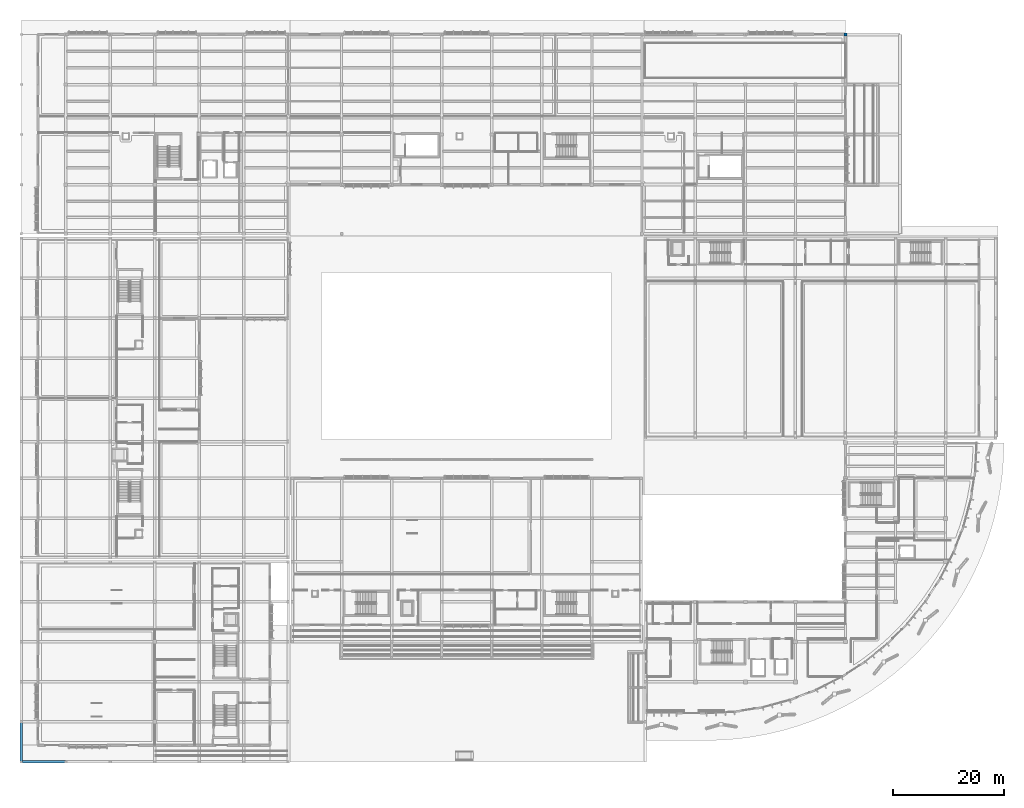
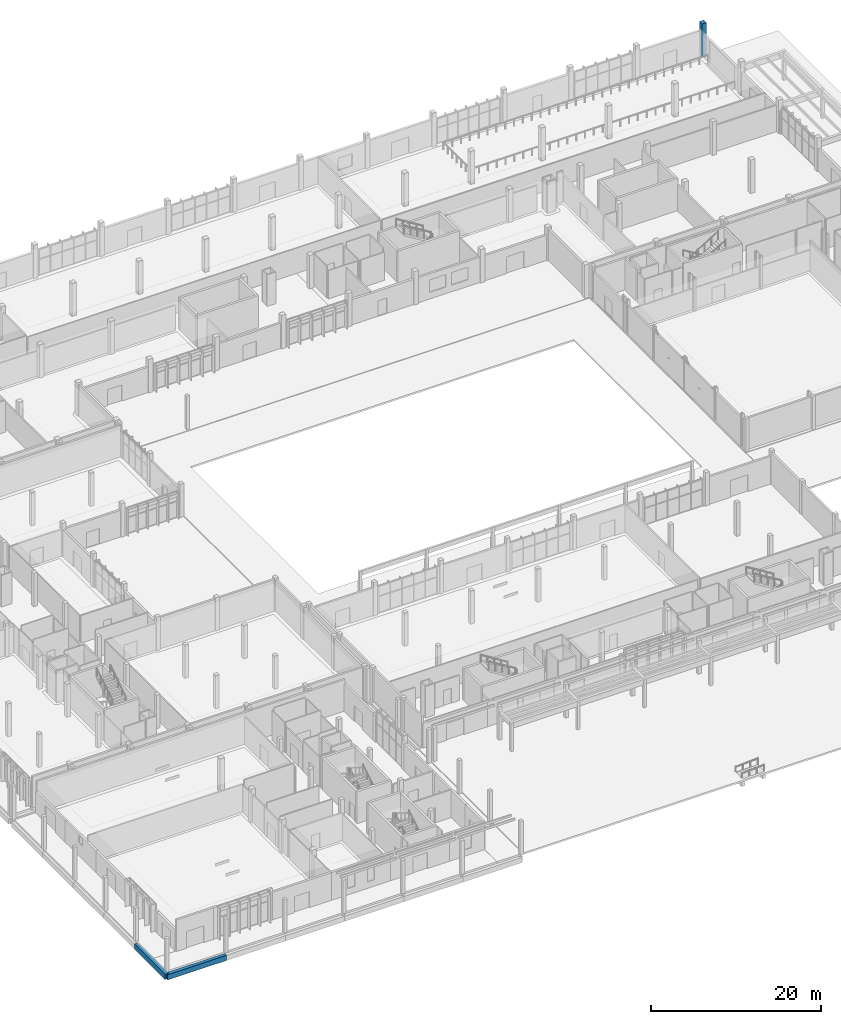
# One storey, part 13 of 151: 2 beams, 1 column.
"""IFC4 building model written with IfcOpenShell, lengths in metres."""

from ifc_helpers import new_model, si_unit, direction, frame, origin, origin_2d, place, context, subcontext, project, spatial, rectangle, extrude, material, material_profile, profile_set, type_object, element, save


model = new_model("IFC4")

# Units and contexts
model_context = context("Model", 3, precision=1e-05, world=origin(), true_north=direction((0.0, 1.0)))
body_context = subcontext(model_context, "Body", "Model", "MODEL_VIEW")
ifc_project = project(units=[si_unit("LENGTHUNIT", "METRE"), si_unit("AREAUNIT", "SQUARE_METRE"), si_unit("VOLUMEUNIT", "CUBIC_METRE"), si_unit("PLANEANGLEUNIT", "RADIAN"), si_unit("MASSUNIT", "GRAM", prefix="KILO")], contexts=[model_context])

# Site, building, storey
site_placement = place(None, origin())
site = spatial("IfcSite", under=ifc_project, at=site_placement, CompositionType="ELEMENT")
building_placement = place(site_placement, origin())
building = spatial("IfcBuilding", under=site, at=building_placement, Name="Chiffa Square Polytechnic", CompositionType="ELEMENT")
storey_placement = place(building_placement, origin())
storey = spatial("IfcBuildingStorey", under=building, at=storey_placement, Name="L00", CompositionType="ELEMENT", Elevation=0.0)

# Column
ifc_material_1 = material(Name="Concrete C40/50", Category="concrete")
ifc_material_profile_1 = material_profile(ifc_material_1, rectangle(XDim=0.60009765625, YDim=0.60009765625, at=origin_2d()), Name="RC 600x600")
ifc_profile_set_1 = profile_set([ifc_material_profile_1], Name="Concrete C40/50")
column_type = type_object("IfcColumnType", Name="COL-RC-600", PredefinedType="COLUMN", material=ifc_profile_set_1)
column_placement = place(storey_placement, frame((148.199951171875, 130.800048828125, 0.0), z_axis=(0.0, 0.0, 1.0), x_axis=(1.0, 0.0, 0.0)))
element("IfcColumn", 1, at=column_placement, inside=storey, type_object=column_type, Name="Column C-V5-L00-1482-1308", PredefinedType="COLUMN", context=body_context, shape_type="SweptSolid", body=[
    extrude(rectangle(XDim=0.60009765625, YDim=0.60009765625, at=origin_2d()), origin(), (0.0, 0.0, 1.0), 4.800048828125),
])

# Beams
ifc_material_2 = material(Name="Concrete C35/45", Category="concrete")
ifc_material_profile_2 = material_profile(ifc_material_2, rectangle(XDim=0.449951171875, YDim=0.75, at=origin_2d()), Name="RC 450x750")
ifc_profile_set_2 = profile_set([ifc_material_profile_2], Name="Concrete C35/45")
beam_type = type_object("IfcBeamType", Name="GB-RC-450X750", PredefinedType="BEAM", material=ifc_profile_set_2)
beam_1_placement = place(storey_placement, frame((0.0, 0.0, -0.77490234375), z_axis=(1.0, 0.0, 0.0), x_axis=(0.0, 1.0, 0.0)))
element("IfcBeam", 2, at=beam_1_placement, inside=storey, type_object=beam_type, Name="Ground tie beam GB-V3-X-044", PredefinedType="BEAM", context=body_context, shape_type="SweptSolid", body=[
    extrude(rectangle(XDim=0.449951171875, YDim=0.75, at=origin_2d()), origin(), (0.0, 0.0, 1.0), 8.0),
])
beam_2_placement = place(storey_placement, frame((0.0, 0.0, -0.77490234375), z_axis=(0.0, 1.0, 0.0), x_axis=(-1.0, 0.0, 0.0)))
element("IfcBeam", 3, at=beam_2_placement, inside=storey, type_object=beam_type, Name="Ground tie beam GB-V3-Y-072", PredefinedType="BEAM", context=body_context, shape_type="SweptSolid", body=[
    extrude(rectangle(XDim=0.449951171875, YDim=0.75, at=origin_2d()), origin(), (0.0, 0.0, 1.0), 7.199951171875),
])

save(model, "model.ifc")
